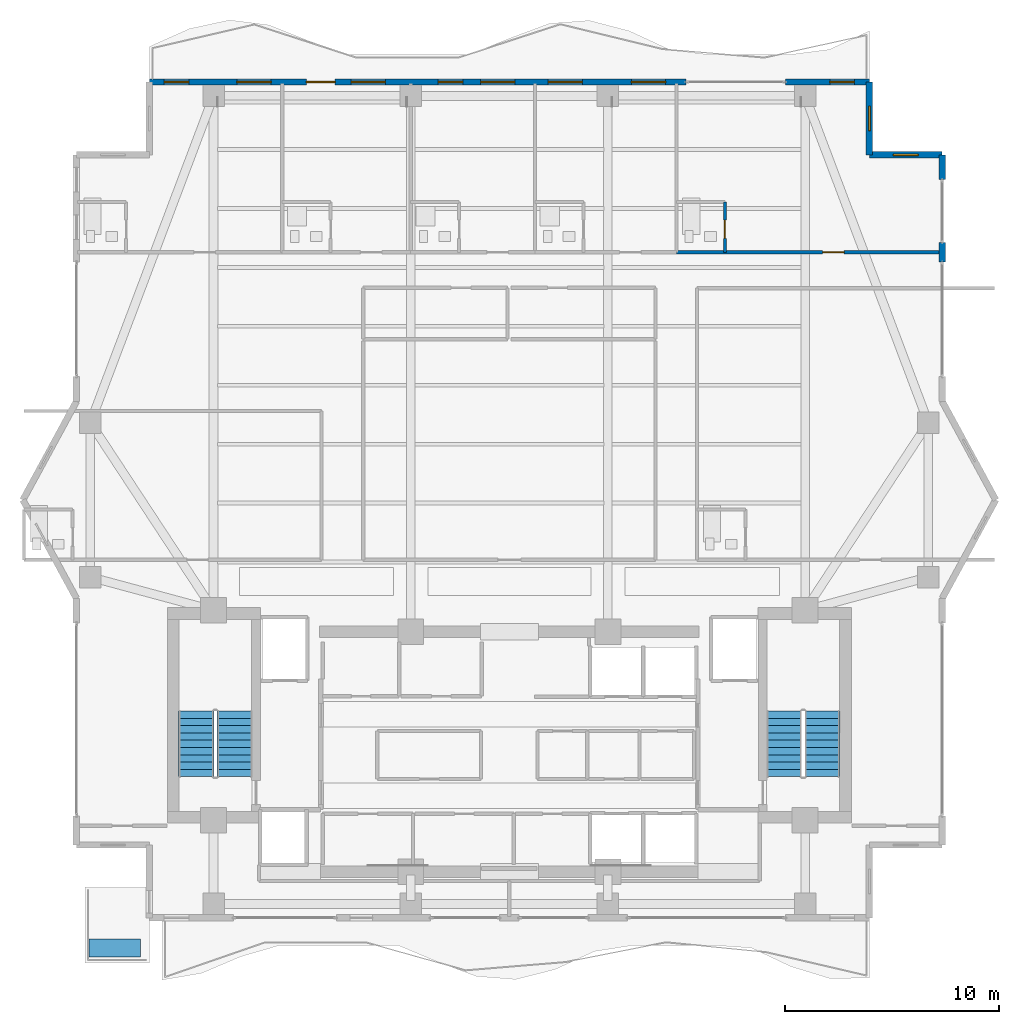
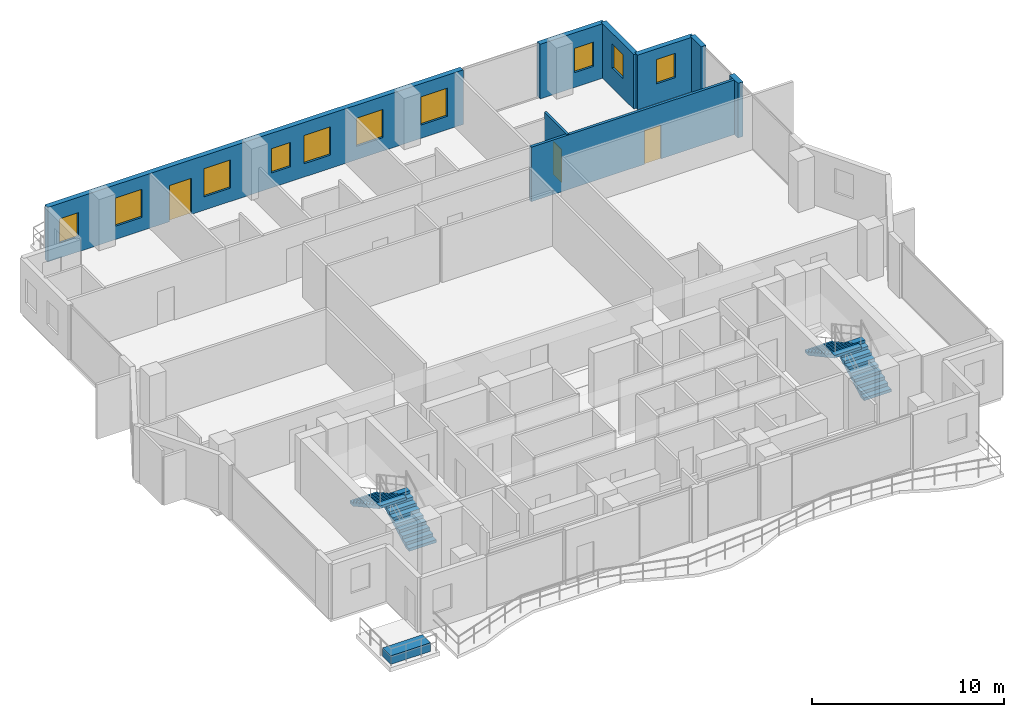
# One storey, part 24 of 28: 10 windows, 8 walls, 4 stair flights, 3 doors, 1 building element part, 13 openings, 2 elements without a shape of their own.
"""IFC4 building model written with IfcOpenShell, lengths in metres."""

from ifc_helpers import new_model, si_unit, direction, frame, frame_2d, origin, origin_2d, place, context, subcontext, project, spatial, polyline, rectangle, outline, extrude, material, layer, layer_set, type_object, element, fill, aggregate, save


model = new_model("IFC4")

# Units and contexts
model_context = context("Model", 3, precision=1e-05, world=origin(), true_north=direction((0.0, 1.0)))
body_context = subcontext(model_context, "Body", "Model", "MODEL_VIEW")
ifc_project = project(units=[si_unit("LENGTHUNIT", "METRE"), si_unit("AREAUNIT", "SQUARE_METRE"), si_unit("VOLUMEUNIT", "CUBIC_METRE"), si_unit("PLANEANGLEUNIT", "RADIAN"), si_unit("MASSUNIT", "GRAM", prefix="KILO")], contexts=[model_context])

# Site, building, storey
site_placement = place(None, origin())
site = spatial("IfcSite", under=ifc_project, at=site_placement, CompositionType="ELEMENT")
building_placement = place(site_placement, origin())
building = spatial("IfcBuilding", under=site, at=building_placement, Name="Zuhayl Quay Hotel", CompositionType="ELEMENT")
storey_placement = place(building_placement, frame((0.0, 0.0, 239.64990234375)))
storey = spatial("IfcBuildingStorey", under=building, at=storey_placement, Name="L60", CompositionType="ELEMENT", Elevation=239.64990234375)

# Wall, openings, door, windows
ifc_material_1 = material(Name="Precast concrete C45/55", Category="concrete")
ifc_layer_1 = layer(ifc_material_1, 0.300048828125, Name="Precast concrete C45/55", Category="concrete")
ifc_layer_set_1 = layer_set([ifc_layer_1], Name="Precast concrete C45/55")
wall_type_1 = type_object("IfcWallType", Name="WL_EXT_300", PredefinedType="STANDARD", material=ifc_layer_set_1)
wall_1_placement = place(storey_placement, frame((-16.800048828125, 39.0, 0.0), z_axis=(0.0, 0.0, 1.0), x_axis=(1.0, 0.0, 0.0)))
wall_1 = element("IfcWall", 1, at=wall_1_placement, inside=storey, type_object=wall_type_1, Name="L60 Exterior Precast Wall ENV_L60_N_EW1", PredefinedType="STANDARD", context=body_context, shape_type="SweptSolid", body=[
    extrude(rectangle(XDim=25.050048828125, YDim=0.300048828125, at=frame_2d((12.52490234375, 0.0))), origin(), (0.0, 0.0, 1.0), 3.47998046875),
])
opening_1_placement = place(wall_1_placement, frame((7.324951171875, 0.0, 0.0)))
opening_1 = element("IfcOpeningElement", 2, at=opening_1_placement, cuts=wall_1, Name="Opening DG2", PredefinedType="OPENING", context=body_context, shape_type="SweptSolid", body=[
    extrude(rectangle(XDim=1.35009765625, YDim=2.300048828125, at=frame_2d((0.675048828125, 1.14990234375))), frame((0.0, 0.159912109375, 0.0), z_axis=(0.0, -1.0, 0.0), x_axis=(1.0, 0.0, 0.0)), (0.0, 0.0, 1.0), 0.320068359375),
])
opening_2_placement = place(wall_1_placement, frame((15.4599609375, 0.0, 0.85009765625)))
opening_2 = element("IfcOpeningElement", 3, at=opening_2_placement, cuts=wall_1, Name="Opening W01", PredefinedType="OPENING", context=body_context, shape_type="SweptSolid", body=[
    extrude(rectangle(XDim=1.60009765625, YDim=1.800048828125, at=frame_2d((0.800048828125, 0.89990234375))), frame((0.0, 0.159912109375, 0.0), z_axis=(0.0, -1.0, 0.0), x_axis=(1.0, 0.0, 0.0)), (0.0, 0.0, 1.0), 0.320068359375),
])
opening_3_placement = place(wall_1_placement, frame((0.695068359375, 0.0, 0.949951171875)))
opening_3 = element("IfcOpeningElement", 4, at=opening_3_placement, cuts=wall_1, Name="Opening W01N", PredefinedType="OPENING", context=body_context, shape_type="SweptSolid", body=[
    extrude(rectangle(XDim=1.14990234375, YDim=1.550048828125, at=frame_2d((0.574951171875, 0.77490234375))), frame((0.0, 0.159912109375, 0.0), z_axis=(0.0, -1.0, 0.0), x_axis=(1.0, 0.0, 0.0)), (0.0, 0.0, 1.0), 0.320068359375),
])
opening_4_placement = place(wall_1_placement, frame((4.090087890625, 0.0, 0.85009765625)))
opening_4 = element("IfcOpeningElement", 5, at=opening_4_placement, cuts=wall_1, Name="Opening W01", PredefinedType="OPENING", context=body_context, shape_type="SweptSolid", body=[
    extrude(rectangle(XDim=1.60009765625, YDim=1.800048828125, at=frame_2d((0.800048828125, 0.89990234375))), frame((0.0, 0.159912109375, 0.0), z_axis=(0.0, -1.0, 0.0), x_axis=(1.0, 0.0, 0.0)), (0.0, 0.0, 1.0), 0.320068359375),
])
opening_5_placement = place(wall_1_placement, frame((9.41259765625, 0.0, 0.85009765625)))
opening_5 = element("IfcOpeningElement", 6, at=opening_5_placement, cuts=wall_1, Name="Opening W01", PredefinedType="OPENING", context=body_context, shape_type="SweptSolid", body=[
    extrude(rectangle(XDim=1.60009765625, YDim=1.800048828125, at=frame_2d((0.800048828125, 0.89990234375))), frame((0.0, 0.159912109375, 0.0), z_axis=(0.0, -1.0, 0.0), x_axis=(1.0, 0.0, 0.0)), (0.0, 0.0, 1.0), 0.320068359375),
])
opening_6_placement = place(wall_1_placement, frame((13.47998046875, 0.0, 0.949951171875)))
opening_6 = element("IfcOpeningElement", 7, at=opening_6_placement, cuts=wall_1, Name="Opening W01N", PredefinedType="OPENING", context=body_context, shape_type="SweptSolid", body=[
    extrude(rectangle(XDim=1.14990234375, YDim=1.550048828125, at=frame_2d((0.574951171875, 0.77490234375))), frame((0.0, 0.159912109375, 0.0), z_axis=(0.0, -1.0, 0.0), x_axis=(1.0, 0.0, 0.0)), (0.0, 0.0, 1.0), 0.320068359375),
])
opening_7_placement = place(wall_1_placement, frame((18.610107421875, 0.0, 0.85009765625)))
opening_7 = element("IfcOpeningElement", 8, at=opening_7_placement, cuts=wall_1, Name="Opening W01", PredefinedType="OPENING", context=body_context, shape_type="SweptSolid", body=[
    extrude(rectangle(XDim=1.60009765625, YDim=1.800048828125, at=frame_2d((0.800048828125, 0.89990234375))), frame((0.0, 0.159912109375, 0.0), z_axis=(0.0, -1.0, 0.0), x_axis=(1.0, 0.0, 0.0)), (0.0, 0.0, 1.0), 0.320068359375),
])
opening_8_placement = place(wall_1_placement, frame((22.489990234375, 0.0, 0.85009765625)))
opening_8 = element("IfcOpeningElement", 9, at=opening_8_placement, cuts=wall_1, Name="Opening W01", PredefinedType="OPENING", context=body_context, shape_type="SweptSolid", body=[
    extrude(rectangle(XDim=1.60009765625, YDim=1.800048828125, at=frame_2d((0.800048828125, 0.89990234375))), frame((0.0, 0.159912109375, 0.0), z_axis=(0.0, -1.0, 0.0), x_axis=(1.0, 0.0, 0.0)), (0.0, 0.0, 1.0), 0.320068359375),
])
ifc_material_2 = material(Name="Anodised Aluminium and Dark Solar Glass", Category="aluminium")
door_type_1 = type_object("IfcDoorType", Name="DR_EXT_TERR_1350", OperationType="NOTDEFINED", PredefinedType="DOOR", material=ifc_material_2)
door_1_placement = place(opening_1_placement, origin())
door_1 = element("IfcDoor", 10, at=door_1_placement, inside=storey, type_object=door_type_1, Name="L60 North Rippling Balcony Door", OperationType="SINGLE_SWING_LEFT", OverallHeight=2.300048828125, OverallWidth=1.35009765625, PredefinedType="DOOR", context=body_context, shape_type="SweptSolid", body=[
    extrude(rectangle(XDim=1.35009765625, YDim=2.300048828125, at=frame_2d((0.675048828125, 1.14990234375))), frame((0.0, 0.02490234375, 0.0), z_axis=(0.0, -1.0, 0.0), x_axis=(1.0, 0.0, 0.0)), (0.0, 0.0, 1.0), 0.050048828125),
])
fill(opening_1, door_1)
ifc_material_3 = material(Name="Dark Ceramic-Fritted Solar Glass", Category="glass")
window_type_1 = type_object("IfcWindowType", Name="WN_NOTCH_1350", PartitioningType="SINGLE_PANEL", PredefinedType="WINDOW", material=ifc_material_3)
window_1_placement = place(opening_3_placement, origin())
window_1 = element("IfcWindow", 11, at=window_1_placement, inside=storey, type_object=window_type_1, Name="L60 Operable Facade Window 1-1", OverallHeight=1.550048828125, OverallWidth=1.14990234375, PartitioningType="SINGLE_PANEL", PredefinedType="WINDOW", context=body_context, shape_type="SweptSolid", body=[
    extrude(rectangle(XDim=1.14990234375, YDim=1.550048828125, at=frame_2d((0.574951171875, 0.77490234375))), frame((0.0, 0.030029296875, 0.0), z_axis=(0.0, -1.0, 0.0), x_axis=(1.0, 0.0, 0.0)), (0.0, 0.0, 1.0), 0.06005859375),
])
fill(opening_3, window_1)
window_2_placement = place(opening_6_placement, origin())
window_2 = element("IfcWindow", 12, at=window_2_placement, inside=storey, type_object=window_type_1, Name="L60 Operable Facade Window 1-4", OverallHeight=1.550048828125, OverallWidth=1.14990234375, PartitioningType="SINGLE_PANEL", PredefinedType="WINDOW", context=body_context, shape_type="SweptSolid", body=[
    extrude(rectangle(XDim=1.14990234375, YDim=1.550048828125, at=frame_2d((0.574951171875, 0.77490234375))), frame((0.0, 0.030029296875, 0.0), z_axis=(0.0, -1.0, 0.0), x_axis=(1.0, 0.0, 0.0)), (0.0, 0.0, 1.0), 0.06005859375),
])
fill(opening_6, window_2)
window_type_2 = type_object("IfcWindowType", Name="WN_OPERABLE_1600", PartitioningType="DOUBLE_PANEL_VERTICAL", PredefinedType="WINDOW", material=ifc_material_3)
window_3_placement = place(opening_2_placement, origin())
window_3 = element("IfcWindow", 13, at=window_3_placement, inside=storey, type_object=window_type_2, Name="L60 North Operable Casement Window", OverallHeight=1.800048828125, OverallWidth=1.60009765625, PartitioningType="SINGLE_PANEL", PredefinedType="WINDOW", context=body_context, shape_type="SweptSolid", body=[
    extrude(rectangle(XDim=1.60009765625, YDim=1.800048828125, at=frame_2d((0.800048828125, 0.89990234375))), frame((0.0, 0.030029296875, 0.0), z_axis=(0.0, -1.0, 0.0), x_axis=(1.0, 0.0, 0.0)), (0.0, 0.0, 1.0), 0.06005859375),
])
fill(opening_2, window_3)
window_4_placement = place(opening_4_placement, origin())
window_4 = element("IfcWindow", 14, at=window_4_placement, inside=storey, type_object=window_type_2, Name="L60 Operable Facade Window 1-2", OverallHeight=1.800048828125, OverallWidth=1.60009765625, PartitioningType="SINGLE_PANEL", PredefinedType="WINDOW", context=body_context, shape_type="SweptSolid", body=[
    extrude(rectangle(XDim=1.60009765625, YDim=1.800048828125, at=frame_2d((0.800048828125, 0.89990234375))), frame((0.0, 0.030029296875, 0.0), z_axis=(0.0, -1.0, 0.0), x_axis=(1.0, 0.0, 0.0)), (0.0, 0.0, 1.0), 0.06005859375),
])
fill(opening_4, window_4)
window_5_placement = place(opening_5_placement, origin())
window_5 = element("IfcWindow", 15, at=window_5_placement, inside=storey, type_object=window_type_2, Name="L60 Operable Facade Window 1-3", OverallHeight=1.800048828125, OverallWidth=1.60009765625, PartitioningType="SINGLE_PANEL", PredefinedType="WINDOW", context=body_context, shape_type="SweptSolid", body=[
    extrude(rectangle(XDim=1.60009765625, YDim=1.800048828125, at=frame_2d((0.800048828125, 0.89990234375))), frame((0.0, 0.030029296875, 0.0), z_axis=(0.0, -1.0, 0.0), x_axis=(1.0, 0.0, 0.0)), (0.0, 0.0, 1.0), 0.06005859375),
])
fill(opening_5, window_5)
window_6_placement = place(opening_7_placement, origin())
window_6 = element("IfcWindow", 16, at=window_6_placement, inside=storey, type_object=window_type_2, Name="L60 Operable Facade Window 1-5", OverallHeight=1.800048828125, OverallWidth=1.60009765625, PartitioningType="SINGLE_PANEL", PredefinedType="WINDOW", context=body_context, shape_type="SweptSolid", body=[
    extrude(rectangle(XDim=1.60009765625, YDim=1.800048828125, at=frame_2d((0.800048828125, 0.89990234375))), frame((0.0, 0.030029296875, 0.0), z_axis=(0.0, -1.0, 0.0), x_axis=(1.0, 0.0, 0.0)), (0.0, 0.0, 1.0), 0.06005859375),
])
fill(opening_7, window_6)
window_7_placement = place(opening_8_placement, origin())
window_7 = element("IfcWindow", 17, at=window_7_placement, inside=storey, type_object=window_type_2, Name="L60 Operable Facade Window 1-6", OverallHeight=1.800048828125, OverallWidth=1.60009765625, PartitioningType="SINGLE_PANEL", PredefinedType="WINDOW", context=body_context, shape_type="SweptSolid", body=[
    extrude(rectangle(XDim=1.60009765625, YDim=1.800048828125, at=frame_2d((0.800048828125, 0.89990234375))), frame((0.0, 0.030029296875, 0.0), z_axis=(0.0, -1.0, 0.0), x_axis=(1.0, 0.0, 0.0)), (0.0, 0.0, 1.0), 0.06005859375),
])
fill(opening_8, window_7)

# Wall, opening, window
wall_2_placement = place(storey_placement, frame((12.8798828125, 39.0, 0.0), z_axis=(0.0, 0.0, 1.0), x_axis=(1.0, 0.0, 0.0)))
wall_2 = element("IfcWall", 18, at=wall_2_placement, inside=storey, type_object=wall_type_1, Name="L60 Exterior Precast Wall ENV_L60_N_EW2", PredefinedType="STANDARD", context=body_context, shape_type="SweptSolid", body=[
    extrude(rectangle(XDim=3.920166015625, YDim=0.300048828125, at=frame_2d((1.9599609375, 0.0))), origin(), (0.0, 0.0, 1.0), 3.47998046875),
])
opening_9_placement = place(wall_2_placement, frame((2.074951171875, 0.0, 0.949951171875)))
opening_9 = element("IfcOpeningElement", 19, at=opening_9_placement, cuts=wall_2, Name="Opening W01N", PredefinedType="OPENING", context=body_context, shape_type="SweptSolid", body=[
    extrude(rectangle(XDim=1.14990234375, YDim=1.550048828125, at=frame_2d((0.574951171875, 0.77490234375))), frame((0.0, 0.159912109375, 0.0), z_axis=(0.0, -1.0, 0.0), x_axis=(1.0, 0.0, 0.0)), (0.0, 0.0, 1.0), 0.320068359375),
])
window_8_placement = place(opening_9_placement, origin())
window_8 = element("IfcWindow", 20, at=window_8_placement, inside=storey, type_object=window_type_1, Name="L60 Operable Facade Window 2-1", OverallHeight=1.550048828125, OverallWidth=1.14990234375, PartitioningType="SINGLE_PANEL", PredefinedType="WINDOW", context=body_context, shape_type="SweptSolid", body=[
    extrude(rectangle(XDim=1.14990234375, YDim=1.550048828125, at=frame_2d((0.574951171875, 0.77490234375))), frame((0.0, 0.030029296875, 0.0), z_axis=(0.0, -1.0, 0.0), x_axis=(1.0, 0.0, 0.0)), (0.0, 0.0, 1.0), 0.06005859375),
])
fill(opening_9, window_8)

wall_3_placement = place(storey_placement, frame((16.800048828125, 39.0, 0.0), z_axis=(0.0, 0.0, 1.0), x_axis=(0.0, -1.0, 0.0)))
wall_3 = element("IfcWall", 21, at=wall_3_placement, inside=storey, type_object=wall_type_1, Name="L60 Exterior Precast Wall ENV_L60_EW09", PredefinedType="STANDARD", context=body_context, shape_type="SweptSolid", body=[
    extrude(rectangle(XDim=3.39990234375, YDim=0.300048828125, at=frame_2d((1.699951171875, 0.0))), origin(), (0.0, 0.0, 1.0), 3.47998046875),
])
opening_10_placement = place(wall_3_placement, frame((1.125, 0.0, 1.25)))
opening_10 = element("IfcOpeningElement", 22, at=opening_10_placement, cuts=wall_3, Name="Opening W01N", PredefinedType="OPENING", context=body_context, shape_type="SweptSolid", body=[
    extrude(rectangle(XDim=1.14990234375, YDim=1.550048828125, at=frame_2d((0.574951171875, 0.77490234375))), frame((0.0, 0.159912109375, 0.0), z_axis=(0.0, -1.0, 0.0), x_axis=(1.0, 0.0, 0.0)), (0.0, 0.0, 1.0), 0.320068359375),
])
window_9_placement = place(opening_10_placement, origin())
window_9 = element("IfcWindow", 23, at=window_9_placement, inside=storey, type_object=window_type_1, Name="L60 Corner Notch Window 9", OverallHeight=1.550048828125, OverallWidth=1.14990234375, PartitioningType="SINGLE_PANEL", PredefinedType="WINDOW", context=body_context, shape_type="SweptSolid", body=[
    extrude(rectangle(XDim=1.14990234375, YDim=1.550048828125, at=frame_2d((0.574951171875, 0.77490234375))), frame((0.0, 0.030029296875, 0.0), z_axis=(0.0, -1.0, 0.0), x_axis=(1.0, 0.0, 0.0)), (0.0, 0.0, 1.0), 0.06005859375),
])
fill(opening_10, window_9)

wall_4_placement = place(storey_placement, frame((16.800048828125, 35.60009765625, 0.0), z_axis=(0.0, 0.0, 1.0), x_axis=(1.0, 0.0, 0.0)))
wall_4 = element("IfcWall", 24, at=wall_4_placement, inside=storey, type_object=wall_type_1, Name="L60 Exterior Precast Wall ENV_L60_EW10", PredefinedType="STANDARD", context=body_context, shape_type="SweptSolid", body=[
    extrude(rectangle(XDim=3.39990234375, YDim=0.300048828125, at=frame_2d((1.699951171875, 0.0))), origin(), (0.0, 0.0, 1.0), 3.47998046875),
])
opening_11_placement = place(wall_4_placement, frame((1.125, 0.0, 1.25)))
opening_11 = element("IfcOpeningElement", 25, at=opening_11_placement, cuts=wall_4, Name="Opening W01N", PredefinedType="OPENING", context=body_context, shape_type="SweptSolid", body=[
    extrude(rectangle(XDim=1.14990234375, YDim=1.550048828125, at=frame_2d((0.574951171875, 0.77490234375))), frame((0.0, 0.159912109375, 0.0), z_axis=(0.0, -1.0, 0.0), x_axis=(1.0, 0.0, 0.0)), (0.0, 0.0, 1.0), 0.320068359375),
])
window_10_placement = place(opening_11_placement, origin())
window_10 = element("IfcWindow", 26, at=window_10_placement, inside=storey, type_object=window_type_1, Name="L60 Corner Notch Window 10", OverallHeight=1.550048828125, OverallWidth=1.14990234375, PartitioningType="SINGLE_PANEL", PredefinedType="WINDOW", context=body_context, shape_type="SweptSolid", body=[
    extrude(rectangle(XDim=1.14990234375, YDim=1.550048828125, at=frame_2d((0.574951171875, 0.77490234375))), frame((0.0, 0.030029296875, 0.0), z_axis=(0.0, -1.0, 0.0), x_axis=(1.0, 0.0, 0.0)), (0.0, 0.0, 1.0), 0.06005859375),
])
fill(opening_11, window_10)

# Walls
wall_5_placement = place(storey_placement, frame((20.199951171875, 35.60009765625, 0.0), z_axis=(0.0, 0.0, 1.0), x_axis=(0.0, -1.0, 0.0)))
element("IfcWall", 27, at=wall_5_placement, inside=storey, type_object=wall_type_1, Name="L60 Exterior Precast Wall ENV_L60_E11_EW1", PredefinedType="STANDARD", context=body_context, shape_type="SweptSolid", body=[
    extrude(rectangle(XDim=1.150146484375, YDim=0.300048828125, at=frame_2d((0.5751953125, 0.0))), origin(), (0.0, 0.0, 1.0), 3.47998046875),
])
wall_6_placement = place(storey_placement, frame((20.199951171875, 31.5, 0.0), z_axis=(0.0, 0.0, 1.0), x_axis=(0.0, -1.0, 0.0)))
element("IfcWall", 28, at=wall_6_placement, inside=storey, type_object=wall_type_1, Name="L60 Exterior Precast Wall ENV_L60_E11_EW2", PredefinedType="STANDARD", context=body_context, shape_type="SweptSolid", body=[
    extrude(rectangle(XDim=0.89990234375, YDim=0.300048828125, at=frame_2d((0.449951171875, 0.0))), origin(), (0.0, 0.0, 1.0), 3.47998046875),
])

# Wall, opening, door
ifc_material_4 = material(Name="Acoustic Gypsum Partition STC-58")
ifc_layer_2 = layer(ifc_material_4, 0.159912109375, Name="Acoustic Gypsum Partition STC-58")
ifc_layer_set_2 = layer_set([ifc_layer_2], Name="Acoustic Gypsum Partition STC-58")
wall_type_2 = type_object("IfcWallType", Name="WL_PART_CORR_160", PredefinedType="PARTITIONING", material=ifc_layer_set_2)
wall_7_placement = place(storey_placement, frame((7.800048828125, 31.050048828125, 0.0), z_axis=(0.0, 0.0, 1.0), x_axis=(1.0, 0.0, 0.0)))
wall_7 = element("IfcWall", 29, at=wall_7_placement, inside=storey, type_object=wall_type_2, Name="L60 Partition IW_L60_NU05_COR", PredefinedType="PARTITIONING", context=body_context, shape_type="SweptSolid", body=[
    extrude(rectangle(XDim=12.33984375, YDim=0.159912109375, at=frame_2d((6.169921875, 0.0))), origin(), (0.0, 0.0, 1.0), 3.47998046875),
])
opening_12_placement = place(wall_7_placement, frame((6.820068359375, 0.0, 0.0)))
opening_12 = element("IfcOpeningElement", 30, at=opening_12_placement, cuts=wall_7, Name="Opening D03L", PredefinedType="OPENING", context=body_context, shape_type="SweptSolid", body=[
    extrude(rectangle(XDim=1.0, YDim=2.14990234375, at=frame_2d((0.5, 1.074951171875))), frame((0.0, 0.08984375, 0.0), z_axis=(0.0, -1.0, 0.0), x_axis=(1.0, 0.0, 0.0)), (0.0, 0.0, 1.0), 0.179931640625),
])
ifc_material_5 = material(Name="Solid Walnut Acoustic Fire Door")
door_type_2 = type_object("IfcDoorType", Name="DR_SUITE_1000", OperationType="NOTDEFINED", PredefinedType="DOOR", material=ifc_material_5)
door_2_placement = place(opening_12_placement, origin())
door_2 = element("IfcDoor", 31, at=door_2_placement, inside=storey, type_object=door_type_2, Name="L60 Royal Gulf Suite L60-05 Entrance Door", OperationType="SINGLE_SWING_RIGHT", OverallHeight=2.14990234375, OverallWidth=1.0, PredefinedType="DOOR", context=body_context, shape_type="SweptSolid", body=[
    extrude(rectangle(XDim=1.0, YDim=2.14990234375, at=frame_2d((0.5, 1.074951171875))), frame((0.0, 0.02490234375, 0.0), z_axis=(0.0, -1.0, 0.0), x_axis=(1.0, 0.0, 0.0)), (0.0, 0.0, 1.0), 0.050048828125),
])
fill(opening_12, door_2)

ifc_material_6 = material(Name="Moisture-Resistant Sanitarychase Gypsum")
ifc_layer_3 = layer(ifc_material_6, 0.135009765625, Name="Moisture-Resistant Sanitarychase Gypsum")
ifc_layer_set_3 = layer_set([ifc_layer_3], Name="Moisture-Resistant Sanitarychase Gypsum")
wall_type_3 = type_object("IfcWallType", Name="WL_PART_PLUMB_150", PredefinedType="PLUMBINGWALL", material=ifc_layer_set_3)
wall_8_placement = place(storey_placement, frame((10.06005859375, 31.050048828125, 0.0), z_axis=(0.0, 0.0, 1.0), x_axis=(0.0, 1.0, 0.0)))
wall_8 = element("IfcWall", 32, at=wall_8_placement, inside=storey, type_object=wall_type_3, Name="L60 Partition IW_L60_NU05_BE", PredefinedType="PLUMBINGWALL", context=body_context, shape_type="SweptSolid", body=[
    extrude(rectangle(XDim=2.35986328125, YDim=0.135009765625, at=frame_2d((1.179931640625, 0.0))), origin(), (0.0, 0.0, 1.0), 3.47998046875),
])
opening_13_placement = place(wall_8_placement, frame((0.64990234375, 0.0, 0.0)))
opening_13 = element("IfcOpeningElement", 33, at=opening_13_placement, cuts=wall_8, Name="Opening D04", PredefinedType="OPENING", context=body_context, shape_type="SweptSolid", body=[
    extrude(rectangle(XDim=0.85009765625, YDim=2.10009765625, at=frame_2d((0.425048828125, 1.050048828125))), frame((0.0, 0.077392578125, 0.0), z_axis=(0.0, -1.0, 0.0), x_axis=(1.0, 0.0, 0.0)), (0.0, 0.0, 1.0), 0.155029296875),
])
ifc_material_7 = material(Name="Moisture-Resistant Walnut Veneer")
door_type_3 = type_object("IfcDoorType", Name="DR_BATH_850", OperationType="NOTDEFINED", PredefinedType="DOOR", material=ifc_material_7)
door_3_placement = place(opening_13_placement, origin())
door_3 = element("IfcDoor", 34, at=door_3_placement, inside=storey, type_object=door_type_3, Name="L60 Royal Gulf Suite L60-05 En-Suite Door", OperationType="SINGLE_SWING_LEFT", OverallHeight=2.10009765625, OverallWidth=0.85009765625, PredefinedType="DOOR", context=body_context, shape_type="SweptSolid", body=[
    extrude(rectangle(XDim=0.85009765625, YDim=2.10009765625, at=frame_2d((0.425048828125, 1.050048828125))), frame((0.0, 0.02490234375, 0.0), z_axis=(0.0, -1.0, 0.0), x_axis=(1.0, 0.0, 0.0)), (0.0, 0.0, 1.0), 0.050048828125),
])
fill(opening_13, door_3)

# Stair, stair flights
ifc_material_8 = material(Name="Concrete C45/55", Category="concrete")
stair_type = type_object("IfcStairType", Name="ST_DOGLEG_TOWER", PredefinedType="HALF_TURN_STAIR", material=ifc_material_8)
stair_1_placement = place(storey_placement, origin())
stair_1 = element("IfcStair", 35, at=stair_1_placement, inside=storey, type_object=stair_type, Name="L60 Smokeproof Exit Stair ST1", PredefinedType="HALF_TURN_STAIR")
ifc_layer_4 = layer(ifc_material_8, 0.159912109375, Name="Concrete C45/55", Category="concrete")
ifc_layer_set_4 = layer_set([ifc_layer_4], Name="Concrete C45/55")
stair_flight_type = type_object("IfcStairFlightType", Name="SF_CONC_164", PredefinedType="STRAIGHT", material=ifc_layer_set_4)
stair_flight_1_placement = place(storey_placement, frame((-12.820068359375, 6.590087890625, 0.0), z_axis=(0.0, 0.0, 1.0), x_axis=(0.0, 1.0, 0.0)))
stair_flight_1 = element("IfcStairFlight", 36, at=stair_flight_1_placement, type_object=stair_flight_type, Name="ST1 flight 1", NumberOfRisers=10, NumberOfTreads=9, PredefinedType="STRAIGHT", RiserHeight=0.185, TreadLength=0.34, context=body_context, shape_type="SweptSolid", body=[
    extrude(outline(polyline([(0.0, 0.0), (0.0, 0.18505859375), (0.340087890625, 0.18505859375), (0.340087890625, 0.3701171875), (0.679931640625, 0.3701171875), (0.679931640625, 0.554931640625), (1.02001953125, 0.554931640625), (1.02001953125, 0.739990234375), (1.360107421875, 0.739990234375), (1.360107421875, 0.925048828125), (1.699951171875, 0.925048828125), (1.699951171875, 1.110107421875), (2.0400390625, 1.110107421875), (2.0400390625, 1.294921875), (2.3798828125, 1.294921875), (2.3798828125, 1.47998046875), (2.719970703125, 1.47998046875), (2.719970703125, 1.6650390625), (3.06005859375, 1.6650390625), (3.06005859375, 1.85009765625), (3.06005859375, 1.494384765625), (0.313720703125, 0.0), (0.0, 0.0)])), frame((0.0, 0.81982421875, 0.0), z_axis=(0.0, -1.0, 0.0), x_axis=(1.0, 0.0, 0.0)), (0.0, 0.0, 1.0), 1.639892578125),
])
stair_flight_2_placement = place(storey_placement, frame((-14.610107421875, 9.64990234375, 1.85009765625), z_axis=(0.0, 0.0, 1.0), x_axis=(0.0, -1.0, 0.0)))
stair_flight_2 = element("IfcStairFlight", 37, at=stair_flight_2_placement, type_object=stair_flight_type, Name="ST1 flight 2", NumberOfRisers=10, NumberOfTreads=9, PredefinedType="STRAIGHT", RiserHeight=0.185, TreadLength=0.34, context=body_context, shape_type="SweptSolid", body=[
    extrude(outline(polyline([(0.0, 0.0), (0.0, 0.18505859375), (0.340087890625, 0.18505859375), (0.340087890625, 0.3701171875), (0.679931640625, 0.3701171875), (0.679931640625, 0.554931640625), (1.02001953125, 0.554931640625), (1.02001953125, 0.739990234375), (1.360107421875, 0.739990234375), (1.360107421875, 0.925048828125), (1.699951171875, 0.925048828125), (1.699951171875, 1.110107421875), (2.0400390625, 1.110107421875), (2.0400390625, 1.294921875), (2.3798828125, 1.294921875), (2.3798828125, 1.47998046875), (2.719970703125, 1.47998046875), (2.719970703125, 1.6650390625), (3.06005859375, 1.6650390625), (3.06005859375, 1.85009765625), (3.06005859375, 1.494384765625), (0.313720703125, 0.0), (0.0, 0.0)])), frame((0.0, 0.81982421875, 0.0), z_axis=(0.0, -1.0, 0.0), x_axis=(1.0, 0.0, 0.0)), (0.0, 0.0, 1.0), 1.639892578125),
])
aggregate(stair_1, [stair_flight_1, stair_flight_2])

stair_2_placement = place(storey_placement, origin())
stair_2 = element("IfcStair", 38, at=stair_2_placement, inside=storey, type_object=stair_type, Name="L60 Smokeproof Exit Stair ST2", PredefinedType="HALF_TURN_STAIR")
stair_flight_3_placement = place(storey_placement, frame((14.610107421875, 6.590087890625, 0.0), z_axis=(0.0, 0.0, 1.0), x_axis=(0.0, 1.0, 0.0)))
stair_flight_3 = element("IfcStairFlight", 39, at=stair_flight_3_placement, type_object=stair_flight_type, Name="ST2 flight 1", NumberOfRisers=10, NumberOfTreads=9, PredefinedType="STRAIGHT", RiserHeight=0.185, TreadLength=0.34, context=body_context, shape_type="SweptSolid", body=[
    extrude(outline(polyline([(0.0, 0.0), (0.0, 0.18505859375), (0.340087890625, 0.18505859375), (0.340087890625, 0.3701171875), (0.679931640625, 0.3701171875), (0.679931640625, 0.554931640625), (1.02001953125, 0.554931640625), (1.02001953125, 0.739990234375), (1.360107421875, 0.739990234375), (1.360107421875, 0.925048828125), (1.699951171875, 0.925048828125), (1.699951171875, 1.110107421875), (2.0400390625, 1.110107421875), (2.0400390625, 1.294921875), (2.3798828125, 1.294921875), (2.3798828125, 1.47998046875), (2.719970703125, 1.47998046875), (2.719970703125, 1.6650390625), (3.06005859375, 1.6650390625), (3.06005859375, 1.85009765625), (3.06005859375, 1.494384765625), (0.313720703125, 0.0), (0.0, 0.0)])), frame((0.0, 0.81982421875, 0.0), z_axis=(0.0, -1.0, 0.0), x_axis=(1.0, 0.0, 0.0)), (0.0, 0.0, 1.0), 1.639892578125),
])
stair_flight_4_placement = place(storey_placement, frame((12.820068359375, 9.64990234375, 1.85009765625), z_axis=(0.0, 0.0, 1.0), x_axis=(0.0, -1.0, 0.0)))
stair_flight_4 = element("IfcStairFlight", 40, at=stair_flight_4_placement, type_object=stair_flight_type, Name="ST2 flight 2", NumberOfRisers=10, NumberOfTreads=9, PredefinedType="STRAIGHT", RiserHeight=0.185, TreadLength=0.34, context=body_context, shape_type="SweptSolid", body=[
    extrude(outline(polyline([(0.0, 0.0), (0.0, 0.18505859375), (0.340087890625, 0.18505859375), (0.340087890625, 0.3701171875), (0.679931640625, 0.3701171875), (0.679931640625, 0.554931640625), (1.02001953125, 0.554931640625), (1.02001953125, 0.739990234375), (1.360107421875, 0.739990234375), (1.360107421875, 0.925048828125), (1.699951171875, 0.925048828125), (1.699951171875, 1.110107421875), (2.0400390625, 1.110107421875), (2.0400390625, 1.294921875), (2.3798828125, 1.294921875), (2.3798828125, 1.47998046875), (2.719970703125, 1.47998046875), (2.719970703125, 1.6650390625), (3.06005859375, 1.6650390625), (3.06005859375, 1.85009765625), (3.06005859375, 1.494384765625), (0.313720703125, 0.0), (0.0, 0.0)])), frame((0.0, 0.81982421875, 0.0), z_axis=(0.0, -1.0, 0.0), x_axis=(1.0, 0.0, 0.0)), (0.0, 0.0, 1.0), 1.639892578125),
])
aggregate(stair_2, [stair_flight_3, stair_flight_4])

# Building element part
ifc_layer_5 = layer(ifc_material_1, 0.550048828125, Name="Precast concrete C45/55", Category="concrete")
ifc_layer_set_5 = layer_set([ifc_layer_5], Name="Precast concrete C45/55")
building_element_part_type = type_object("IfcBuildingElementPartType", Name="PT_PLANTER_KERB", PredefinedType="PRECASTPANEL", material=ifc_layer_set_5)
building_element_part_placement = place(storey_placement, frame((-18.409912109375, -1.409912109375, 0.0), z_axis=(0.0, 0.0, 1.0), x_axis=(1.0, 0.0, 0.0)))
element("IfcBuildingElementPart", 41, at=building_element_part_placement, inside=storey, type_object=building_element_part_type, Name="L60 Spiral Sky-Terrace Planter Box SW", PredefinedType="PRECASTPANEL", context=body_context, shape_type="SweptSolid", body=[
    extrude(rectangle(XDim=2.39990234375, YDim=0.85009765625, at=origin_2d()), origin(), (0.0, 0.0, 1.0), 0.550048828125),
])

save(model, "model.ifc")
